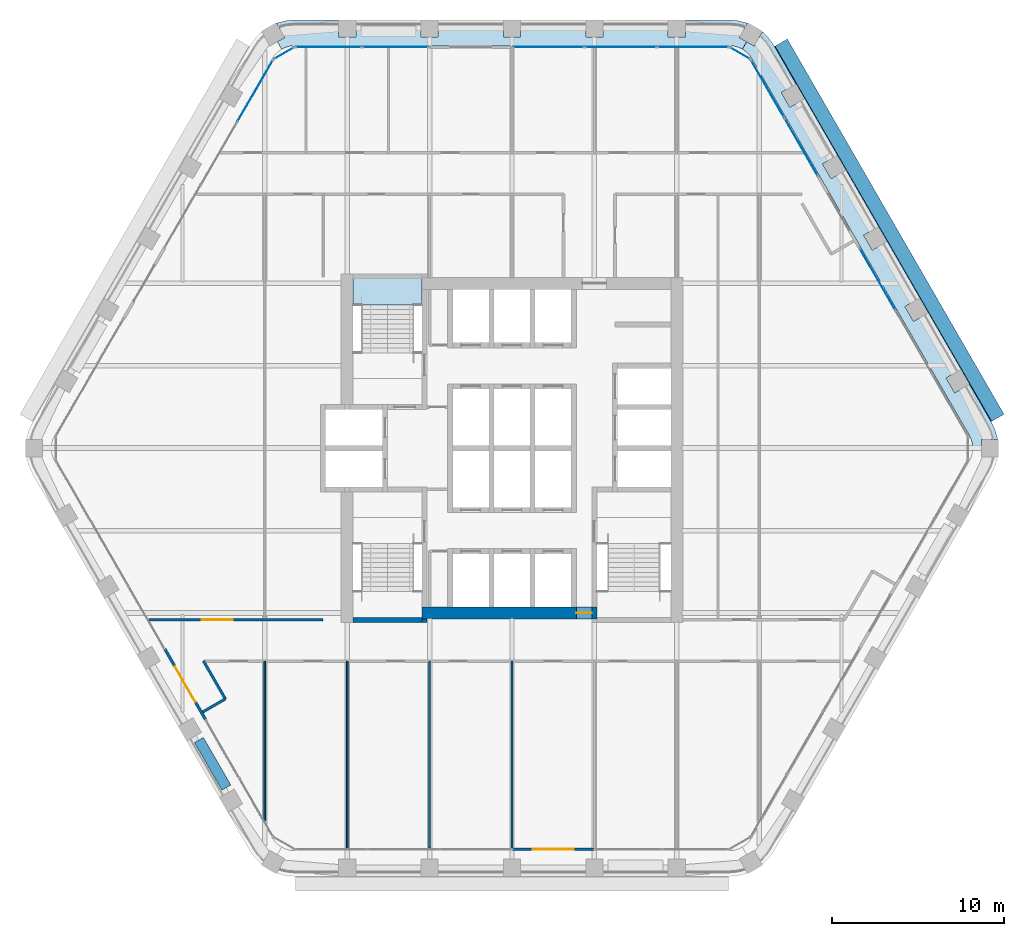
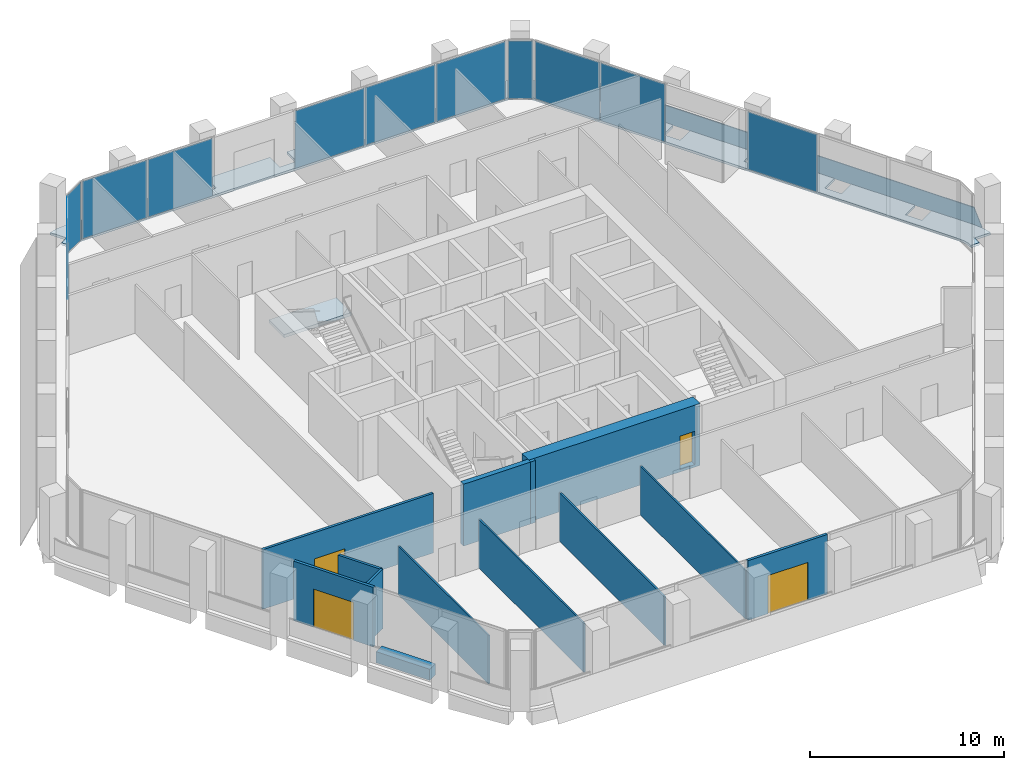
# One storey, part 8 of 15: 13 walls, 12 plates, 4 doors, 3 slabs, 4 openings, 8 elements without a shape of their own.
"""IFC4 building model written with IfcOpenShell, lengths in metres."""

import ifcopenshell
import ifcopenshell.guid

model = None  # the IFC model being written
_history = None  # IfcOwnerHistory: only IFC2X3 demands one
_inside = {}  # id of a spatial element -> (the spatial element, [elements in it])
_under = {}  # id of a project, library or spatial element -> (it, [spatial elements below it])
_declared = {}  # id of a project -> (the project, [libraries it declares])
_typed = {}  # id of a type object -> (the type object, [elements of that type])
_made_of = {}  # id of a material, layer set ... -> (it, [elements and type objects made of it])


def new_model(schema):
    """Start an empty IFC model of exactly this schema.

    Asked for "IFC4X3", IfcOpenShell would pick the latest addendum, in which some entities
    have other attributes; the version numbers below select the first issue.
    IFC2X3 requires an IfcOwnerHistory on every rooted entity: one is made here for all.
    """
    global model, _history
    if schema == "IFC4X3":
        model = ifcopenshell.file(schema_version=(4, 3, 0, 0))
    else:
        model = ifcopenshell.file(schema=schema)
    _inside.clear()
    _under.clear()
    _declared.clear()
    _typed.clear()
    _made_of.clear()
    _history = None
    if model.schema == "IFC2X3":
        org = make("IfcOrganization", Name="unknown")
        user = make(
            "IfcPersonAndOrganization",
            ThePerson=make("IfcPerson", FamilyName="unknown"),
            TheOrganization=org,
        )
        app = make(
            "IfcApplication",
            ApplicationDeveloper=org,
            Version="unknown",
            ApplicationFullName="unknown",
            ApplicationIdentifier="unknown",
        )
        _history = make(
            "IfcOwnerHistory",
            OwningUser=user,
            OwningApplication=app,
            ChangeAction="ADDED",
            CreationDate=0,
        )
    return model


def make(cls, **values):
    """One entity of the class cls with the attributes given. An attribute that is None is left unset."""
    return model.create_entity(
        cls, **{name: value for name, value in values.items() if value is not None}
    )


def rooted(cls, **values):
    """An entity with a GlobalId (a new one), such as an element, a storey or a relation."""
    return make(cls, GlobalId=ifcopenshell.guid.new(), OwnerHistory=_history, **values)


def si_unit(unit_type, name, prefix=None):
    """IfcSIUnit, for example si_unit("LENGTHUNIT", "METRE", prefix="MILLI")."""
    return make("IfcSIUnit", UnitType=unit_type, Prefix=prefix, Name=name)


def assignment(units):
    """IfcUnitAssignment: the units of a project."""
    return None if units is None else make("IfcUnitAssignment", Units=units)


def point(xyz):
    """IfcCartesianPoint."""
    return None if xyz is None else make("IfcCartesianPoint", Coordinates=xyz)


def direction(xyz):
    """IfcDirection."""
    return None if xyz is None else make("IfcDirection", DirectionRatios=xyz)


def frame(location, z_axis=None, x_axis=None):
    """IfcAxis2Placement3D, a coordinate frame: its origin and axes. An axis left out is left unset."""
    return make(
        "IfcAxis2Placement3D",
        Location=point(location),
        Axis=direction(z_axis),
        RefDirection=direction(x_axis),
    )


def frame_2d(location, x_axis=None):
    """IfcAxis2Placement2D, a coordinate frame in the plane: its origin and x axis."""
    return make(
        "IfcAxis2Placement2D", Location=point(location), RefDirection=direction(x_axis)
    )


def origin():
    """The frame at (0, 0, 0) with its axes left unset."""
    return frame((0.0, 0.0, 0.0))


def origin_2d():
    """The frame at (0, 0) in the plane with its x axis left unset."""
    return frame_2d((0.0, 0.0))


def place(relative_to, where):
    """IfcLocalPlacement: puts the frame where relative to a parent placement (None: the world)."""
    return make(
        "IfcLocalPlacement", PlacementRelTo=relative_to, RelativePlacement=where
    )


def context(
    kind, dimensions, precision=None, world=None, true_north=None, identifier=None
):
    """IfcGeometricRepresentationContext, for example the 3D "Model" context."""
    return make(
        "IfcGeometricRepresentationContext",
        ContextIdentifier=identifier,
        ContextType=kind,
        CoordinateSpaceDimension=dimensions,
        Precision=precision,
        WorldCoordinateSystem=world,
        TrueNorth=true_north,
    )


def subcontext(parent, identifier, kind, view, scale=None):
    """IfcGeometricRepresentationSubContext, for example "Body" below "Model"."""
    return make(
        "IfcGeometricRepresentationSubContext",
        ContextIdentifier=identifier,
        ContextType=kind,
        ParentContext=parent,
        TargetScale=scale,
        TargetView=view,
    )


def project(units=None, contexts=None):
    """IfcProject with its units and contexts."""
    return rooted(
        "IfcProject",
        Name="project",
        RepresentationContexts=contexts,
        UnitsInContext=assignment(units),
    )


def spatial(cls, under=None, at=None, **own):
    """A site, building, storey or space (cls), placed at a placement, below another one or the project."""
    s = rooted(cls, ObjectPlacement=at, **own)
    if under is not None:
        _under.setdefault(under.id(), (under, []))[1].append(s)
    return s


def polyline(points):
    """IfcPolyline through the points."""
    return make("IfcPolyline", Points=[point(p) for p in points])


def profile(cls, at=None, kind="AREA", **sizes):
    """A parametric profile (cls). Its sizes go by their IFC names, for example OverallWidth=200.0."""
    return make(cls, ProfileType=kind, Position=at, **sizes)


def rectangle(**sizes):
    """IfcRectangleProfileDef."""
    return profile("IfcRectangleProfileDef", **sizes)


def outline(outer, holes=None, kind="AREA"):
    """IfcArbitraryClosedProfileDef: a profile drawn as a closed curve; with holes, ...WithVoids."""
    if holes is None:
        return make("IfcArbitraryClosedProfileDef", ProfileType=kind, OuterCurve=outer)
    return make(
        "IfcArbitraryProfileDefWithVoids",
        ProfileType=kind,
        OuterCurve=outer,
        InnerCurves=holes,
    )


def extrude(swept, where, along, depth):
    """IfcExtrudedAreaSolid: the profile swept, set in the frame where, extruded along a direction by depth."""
    return make(
        "IfcExtrudedAreaSolid",
        SweptArea=swept,
        Position=where,
        ExtrudedDirection=direction(along),
        Depth=depth,
    )


def shape(context_of_items, identifier, shape_type, items):
    """IfcShapeRepresentation: the items that make up one representation, for example the "Body"."""
    return make(
        "IfcShapeRepresentation",
        ContextOfItems=context_of_items,
        RepresentationIdentifier=identifier,
        RepresentationType=shape_type,
        Items=items,
    )


def material(Name=None, Category=None):
    """IfcMaterial."""
    return make("IfcMaterial", Name=Name, Category=Category)


def layer(
    of_material, thickness, ventilated=None, Name=None, Category=None, Priority=None
):
    """IfcMaterialLayer: one layer of a wall or slab, of a material (None: an air gap)."""
    return make(
        "IfcMaterialLayer",
        Material=of_material,
        LayerThickness=thickness,
        IsVentilated=ventilated,
        Name=Name,
        Category=Category,
        Priority=Priority,
    )


def layer_set(layers, Name=None):
    """IfcMaterialLayerSet."""
    return make("IfcMaterialLayerSet", MaterialLayers=layers, LayerSetName=Name)


def made_of(thing, what):
    """Note that an element or type object is made of a material, layer set ...; save() writes the relation."""
    if what is not None:
        _made_of.setdefault(what.id(), (what, []))[1].append(thing)
    return thing


def type_object(cls, material=None, **own):
    """A type object (cls), such as IfcWallType, which elements share."""
    return made_of(rooted(cls, **own), material)


def element(
    cls,
    number,
    at=None,
    inside=None,
    cuts=None,
    type_object=None,
    material=None,
    context=None,
    identifier="Body",
    shape_type=None,
    held_by="IfcProductDefinitionShape",
    body=None,
    shapes=None,
    **own,
):
    """One element of the class cls, such as IfcWall. Its Tag is "e" and its number.

    at: its placement. inside: the storey or other place that contains it. cuts: it is an
    opening in that element (IfcRelVoidsElement). A single representation is given by context,
    identifier, shape_type and body (its items); several are given by shapes. held_by: the class
    of the entity that holds the representations. save() writes the other relations.
    """
    e = rooted(cls, Tag="e%d" % number, ObjectPlacement=at, **own)
    if body is not None:
        shapes = [shape(context, identifier, shape_type, body)]
    if shapes is not None:
        e.Representation = make(held_by, Representations=shapes)
    if inside is not None:
        _inside.setdefault(inside.id(), (inside, []))[1].append(e)
    if cuts is not None:
        rooted(
            "IfcRelVoidsElement", RelatingBuildingElement=cuts, RelatedOpeningElement=e
        )
    if type_object is not None:
        _typed.setdefault(type_object.id(), (type_object, []))[1].append(e)
    return made_of(e, material)


def fill(opening, filler):
    """IfcRelFillsElement: the door or window that sits in an opening."""
    return rooted(
        "IfcRelFillsElement",
        RelatingOpeningElement=opening,
        RelatedBuildingElement=filler,
    )


def aggregate(whole, parts):
    """IfcRelAggregates: a whole, such as a stair, and the parts it consists of."""
    return rooted("IfcRelAggregates", RelatingObject=whole, RelatedObjects=parts)


def save(model, path):
    """Write the relations noted so far, then the file.

    IfcRelAggregates (storeys below a building ...), IfcRelContainedInSpatialStructure (elements
    in a storey), IfcRelDefinesByType, IfcRelAssociatesMaterial and IfcRelDeclares: one each for
    every whole, place, type object, material and project.
    """
    for whole, parts in _under.values():
        aggregate(whole, parts)
    for where, things in _inside.values():
        rooted(
            "IfcRelContainedInSpatialStructure",
            RelatedElements=things,
            RelatingStructure=where,
        )
    for kind, things in _typed.values():
        rooted("IfcRelDefinesByType", RelatedObjects=things, RelatingType=kind)
    for what, things in _made_of.values():
        rooted("IfcRelAssociatesMaterial", RelatedObjects=things, RelatingMaterial=what)
    for by, libraries in _declared.values():
        rooted("IfcRelDeclares", RelatingContext=by, RelatedDefinitions=libraries)
    model.write(path)


model = new_model("IFC4")

# Units and contexts
model_context = context("Model", 3, precision=1e-05, world=origin(), true_north=direction((0.0, 1.0)))
body_context = subcontext(model_context, "Body", "Model", "MODEL_VIEW")
ifc_project = project(units=[si_unit("LENGTHUNIT", "METRE"), si_unit("AREAUNIT", "SQUARE_METRE"), si_unit("VOLUMEUNIT", "CUBIC_METRE"), si_unit("PLANEANGLEUNIT", "RADIAN"), si_unit("MASSUNIT", "GRAM", prefix="KILO")], contexts=[model_context])

# Site, building, storey
site_placement = place(None, origin())
site = spatial("IfcSite", under=ifc_project, at=site_placement, CompositionType="ELEMENT")
building_placement = place(site_placement, origin())
building = spatial("IfcBuilding", under=site, at=building_placement, Name="Kolab Exchange Tower", CompositionType="ELEMENT")
storey_placement = place(building_placement, frame((0.0, 0.0, 185.60009765625)))
storey = spatial("IfcBuildingStorey", under=building, at=storey_placement, Name="L39", CompositionType="ELEMENT", Elevation=185.60009765625)

# Slabs
ifc_material_1 = material(Name="Concrete C35/45", Category="concrete")
ifc_layer_1 = layer(ifc_material_1, 0.14990234375)
ifc_layer_set_1 = layer_set([ifc_layer_1], Name="Concrete C35/45")
slab_type_1 = type_object("IfcSlabType", Name="LOGGIA SLAB 150", PredefinedType="FLOOR", material=ifc_layer_set_1)
slab_1_placement = place(storey_placement, frame((0.0, 0.0, -0.150146484375)))
element("IfcSlab", 1, at=slab_1_placement, inside=storey, type_object=slab_type_1, Name="slab/L39/loggia/0-0", PredefinedType="FLOOR", context=body_context, shape_type="SweptSolid", body=[
    extrude(outline(polyline([(13.41796875, 23.240478515625), (13.66796875, 23.673583984375), (13.23486328125, 23.923583984375), (13.713134765625, 24.751708984375), (13.694091796875, 24.760498046875), (13.18896484375, 24.89599609375), (12.66796875, 24.941650390625), (10.10009765625, 24.941650390625), (10.10009765625, 23.941650390625), (9.10009765625, 23.941650390625), (9.10009765625, 24.941650390625), (5.300048828125, 24.941650390625), (5.300048828125, 23.941650390625), (4.300048828125, 23.941650390625), (4.300048828125, 24.941650390625), (0.5, 24.941650390625), (0.5, 23.941650390625), (-0.5, 23.941650390625), (-0.5, 24.941650390625), (-4.300048828125, 24.941650390625), (-4.300048828125, 23.941650390625), (-5.300048828125, 23.941650390625), (-5.300048828125, 24.941650390625), (-9.10009765625, 24.941650390625), (-9.10009765625, 23.941650390625), (-10.10009765625, 23.941650390625), (-10.10009765625, 24.941650390625), (-12.66796875, 24.941650390625), (-13.18896484375, 24.89599609375), (-13.694091796875, 24.760498046875), (-13.713134765625, 24.751708984375), (-13.23486328125, 23.923583984375), (-13.66796875, 23.673583984375), (-13.41796875, 23.240478515625), (-13.180908203125, 23.35107421875), (-12.928466796875, 23.418701171875), (-12.66796875, 23.441650390625), (12.66796875, 23.441650390625), (12.928466796875, 23.418701171875), (13.180908203125, 23.35107421875), (13.41796875, 23.240478515625)])), origin(), (0.0, 0.0, 1.0), 0.150146484375),
])
slab_2_placement = place(storey_placement, frame((0.0, 0.0, -0.150146484375)))
element("IfcSlab", 2, at=slab_2_placement, inside=storey, type_object=slab_type_1, Name="slab/L39/loggia/1-0", PredefinedType="FLOOR", context=body_context, shape_type="SweptSolid", body=[
    extrude(outline(polyline([(26.8359375, 0.0), (27.3359375, 0.0), (27.3359375, 0.5), (28.292236328125, 0.5), (28.290283203125, 0.52099609375), (28.155029296875, 1.026123046875), (27.93408203125, 1.5), (26.64990234375, 3.723876953125), (25.783935546875, 3.223876953125), (25.283935546875, 4.08984375), (26.14990234375, 4.58984375), (24.25, 7.880859375), (23.384033203125, 7.380859375), (22.884033203125, 8.246826171875), (23.75, 8.746826171875), (21.85009765625, 12.037841796875), (20.98388671875, 11.537841796875), (20.48388671875, 12.40380859375), (21.35009765625, 12.90380859375), (19.449951171875, 16.194580078125), (18.583984375, 15.694580078125), (18.083984375, 16.560791015625), (18.949951171875, 17.060791015625), (17.050048828125, 20.3515625), (16.18408203125, 19.8515625), (15.68408203125, 20.717529296875), (16.550048828125, 21.217529296875), (15.26611328125, 23.441650390625), (14.966064453125, 23.869873046875), (14.59619140625, 24.23974609375), (14.5791015625, 24.251708984375), (14.10107421875, 23.423583984375), (13.66796875, 23.673583984375), (13.41796875, 23.240478515625), (13.632080078125, 23.090576171875), (13.81689453125, 22.90576171875), (13.967041015625, 22.691650390625), (26.635009765625, 0.75), (26.745361328125, 0.512939453125), (26.81298828125, 0.260498046875), (26.8359375, 0.0)])), origin(), (0.0, 0.0, 1.0), 0.150146484375),
])

# Plate
ifc_material_2 = material(Name="Laminated glass, clear", Category="glass")
ifc_layer_2 = layer(ifc_material_2, 0.0400390625)
ifc_layer_set_2 = layer_set([ifc_layer_2], Name="Laminated glass, clear")
plate_type_1 = type_object("IfcPlateType", Name="OUTER SKIN LAMINATED GLASS SHEET 40", PredefinedType="SHEET", material=ifc_layer_set_2)
plate_1_placement = place(storey_placement, frame((16.040283203125, 23.830810546875, -0.68310546875), z_axis=(0.784879402523, 0.453150748855, 0.422633082363), x_axis=(0.49999996891, -0.866025421734, 9.26397e-07)))
element("IfcPlate", 3, at=plate_1_placement, inside=storey, type_object=plate_type_1, Name="Outer skin", PredefinedType="SHEET", context=body_context, shape_type="SweptSolid", body=[
    extrude(outline(polyline([(0.0, 0.0), (25.235928246078725, 0.0), (25.235843279343584, -1.9610710072384856), (0.00012646525258926716, -1.9611225980101972), (0.0, 0.0)])), origin(), (0.0, 0.0, -1.0), 0.0400390625),
])

# Stair, slab
ifc_material_3 = material(Name="Concrete C50/60", Category="concrete")
stair_type = type_object("IfcStairType", Name="STAIR ST1 RISER 177.3", PredefinedType="HALF_TURN_STAIR", material=ifc_material_3)
stair_placement = place(storey_placement, origin())
stair = element("IfcStair", 4, at=stair_placement, inside=storey, type_object=stair_type, Name="Stair 1", PredefinedType="HALF_TURN_STAIR")
ifc_layer_3 = layer(ifc_material_3, 0.199951171875)
ifc_layer_set_3 = layer_set([ifc_layer_3], Name="Concrete C50/60")
slab_type_2 = type_object("IfcSlabType", Name="STAIR LANDING 200", PredefinedType="LANDING", material=ifc_layer_set_3)
slab_3_placement = place(storey_placement, frame((0.0, 0.0, 1.75)))
slab_3 = element("IfcSlab", 5, at=slab_3_placement, type_object=slab_type_2, Name="ST1 landing 2", PredefinedType="LANDING", context=body_context, shape_type="SweptSolid", body=[
    extrude(outline(polyline([(-9.25, 8.35009765625), (-5.25, 8.35009765625), (-5.25, 9.909912109375), (-9.25, 9.909912109375), (-9.25, 8.35009765625)])), origin(), (0.0, 0.0, 1.0), 0.199951171875),
])
aggregate(stair, [slab_3])

# Curtain wall, plates
ifc_material_4 = material(Name="Aluminium EN AW-6063 T6", Category="aluminium")
curtain_wall_type = type_object("IfcCurtainWallType", Name="UNITISED UPPER MID ZONE CURTAIN WALL", PredefinedType="NOTDEFINED", material=ifc_material_4)
curtain_wall_1_placement = place(storey_placement, origin())
curtain_wall_1 = element("IfcCurtainWall", 6, at=curtain_wall_1_placement, inside=storey, type_object=curtain_wall_type, Name="cw/L39/F1-1", PredefinedType="NOTDEFINED")
ifc_material_5 = material(Name="Clear insulated glazing unit", Category="glass")
ifc_layer_4 = layer(ifc_material_5, 0.028076171875)
ifc_layer_set_4 = layer_set([ifc_layer_4], Name="Clear insulated glazing unit")
plate_type_2 = type_object("IfcPlateType", Name="UNITISED UPPER MID ZONE GLASS PANEL 28", PredefinedType="CURTAIN_PANEL", material=ifc_layer_set_4)
plate_2_placement = place(storey_placement, frame((-10.68603515625, 23.361572265625, 0.06005859375), z_axis=(0.0, 0.0, 1.0), x_axis=(1.0, 0.0, 0.0)))
plate_2 = element("IfcPlate", 7, at=plate_2_placement, type_object=plate_type_2, Name="CW3 panel 1.1", PredefinedType="CURTAIN_PANEL", context=body_context, shape_type="SweptSolid", body=[
    extrude(rectangle(XDim=3.843994140625, YDim=0.028076171875, at=origin_2d()), origin(), (0.0, 0.0, 1.0), 3.6298828125),
])
plate_3_placement = place(storey_placement, frame((-6.781982421875, 23.361572265625, 0.06005859375), z_axis=(0.0, 0.0, 1.0), x_axis=(1.0, 0.0, 0.0)))
plate_3 = element("IfcPlate", 8, at=plate_3_placement, type_object=plate_type_2, Name="CW3 panel 2.1", PredefinedType="CURTAIN_PANEL", context=body_context, shape_type="SweptSolid", body=[
    extrude(rectangle(XDim=3.843994140625, YDim=0.028076171875, at=origin_2d()), origin(), (0.0, 0.0, 1.0), 3.6298828125),
])
aggregate(curtain_wall_1, [plate_2, plate_3])

curtain_wall_2_placement = place(storey_placement, origin())
curtain_wall_2 = element("IfcCurtainWall", 9, at=curtain_wall_2_placement, inside=storey, type_object=curtain_wall_type, Name="cw/L39/F1-2", PredefinedType="NOTDEFINED")
plate_4_placement = place(storey_placement, frame((2.126220703125, 23.361572265625, 0.06005859375), z_axis=(0.0, 0.0, 1.0), x_axis=(1.0, 0.0, 0.0)))
plate_4 = element("IfcPlate", 10, at=plate_4_placement, type_object=plate_type_2, Name="CW3 panel 1.1", PredefinedType="CURTAIN_PANEL", context=body_context, shape_type="SweptSolid", body=[
    extrude(rectangle(XDim=4.132568359375, YDim=0.028076171875, at=origin_2d()), origin(), (0.0, 0.0, 1.0), 3.6298828125),
])
plate_5_placement = place(storey_placement, frame((6.333984375, 23.361572265625, 0.06005859375), z_axis=(0.0, 0.0, 1.0), x_axis=(1.0, 0.0, 0.0)))
plate_5 = element("IfcPlate", 11, at=plate_5_placement, type_object=plate_type_2, Name="CW3 panel 2.1", PredefinedType="CURTAIN_PANEL", context=body_context, shape_type="SweptSolid", body=[
    extrude(rectangle(XDim=4.16259765625, YDim=0.028076171875, at=origin_2d()), origin(), (0.0, 0.0, 1.0), 3.6298828125),
])
plate_6_placement = place(storey_placement, frame((10.54150390625, 23.361572265625, 0.06005859375), z_axis=(0.0, 0.0, 1.0), x_axis=(1.0, 0.0, 0.0)))
plate_6 = element("IfcPlate", 12, at=plate_6_placement, type_object=plate_type_2, Name="CW3 panel 3.1", PredefinedType="CURTAIN_PANEL", context=body_context, shape_type="SweptSolid", body=[
    extrude(rectangle(XDim=4.132568359375, YDim=0.028076171875, at=origin_2d()), origin(), (0.0, 0.0, 1.0), 3.6298828125),
])
aggregate(curtain_wall_2, [plate_4, plate_5, plate_6])

curtain_wall_3_placement = place(storey_placement, origin())
curtain_wall_3 = element("IfcCurtainWall", 13, at=curtain_wall_3_placement, inside=storey, type_object=curtain_wall_type, Name="cw/L39/F2-1", PredefinedType="NOTDEFINED")
plate_7_placement = place(storey_placement, frame((14.888671875, 20.93505859375, 0.06005859375), z_axis=(0.0, 0.0, 1.0), x_axis=(0.500000031681, -0.866025385493, 0.0)))
plate_7 = element("IfcPlate", 14, at=plate_7_placement, type_object=plate_type_2, Name="CW3 panel 1.1", PredefinedType="CURTAIN_PANEL", context=body_context, shape_type="SweptSolid", body=[
    extrude(rectangle(XDim=3.843994140625, YDim=0.028076171875, at=origin_2d()), origin(), (0.0, 0.0, 1.0), 3.6298828125),
])
plate_8_placement = place(storey_placement, frame((16.840576171875, 17.55419921875, 0.06005859375), z_axis=(0.0, 0.0, 1.0), x_axis=(0.500000031681, -0.866025385493, 0.0)))
plate_8 = element("IfcPlate", 15, at=plate_8_placement, type_object=plate_type_2, Name="CW3 panel 2.1", PredefinedType="CURTAIN_PANEL", context=body_context, shape_type="SweptSolid", body=[
    extrude(rectangle(XDim=3.843994140625, YDim=0.028076171875, at=origin_2d()), origin(), (0.0, 0.0, 1.0), 3.6298828125),
])
aggregate(curtain_wall_3, [plate_7, plate_8])

# Curtain wall, plate
curtain_wall_4_placement = place(storey_placement, origin())
curtain_wall_4 = element("IfcCurtainWall", 16, at=curtain_wall_4_placement, inside=storey, type_object=curtain_wall_type, Name="cw/L39/F2-2", PredefinedType="NOTDEFINED")
plate_9_placement = place(storey_placement, frame((21.294921875, 9.83935546875, 0.06005859375), z_axis=(0.0, 0.0, 1.0), x_axis=(0.499999958358, -0.866025427826, 0.0)))
plate_9 = element("IfcPlate", 17, at=plate_9_placement, type_object=plate_type_2, Name="CW3 panel 1.1", PredefinedType="CURTAIN_PANEL", context=body_context, shape_type="SweptSolid", body=[
    extrude(rectangle(XDim=4.132568359375, YDim=0.028076171875, at=origin_2d()), origin(), (0.0, 0.0, 1.0), 3.6298828125),
])
aggregate(curtain_wall_4, [plate_9])

curtain_wall_5_placement = place(storey_placement, origin())
curtain_wall_5 = element("IfcCurtainWall", 18, at=curtain_wall_5_placement, inside=storey, type_object=curtain_wall_type, Name="cw/L39/F6-2", PredefinedType="NOTDEFINED")
plate_10_placement = place(storey_placement, frame((-14.9609375, 20.81005859375, 0.06005859375), z_axis=(0.0, 0.0, 1.0), x_axis=(0.500000017564, 0.866025393644, 0.0)))
plate_10 = element("IfcPlate", 19, at=plate_10_placement, type_object=plate_type_2, Name="CW3 panel 3.1", PredefinedType="CURTAIN_PANEL", context=body_context, shape_type="SweptSolid", body=[
    extrude(rectangle(XDim=4.132568359375, YDim=0.028076171875, at=origin_2d()), origin(), (0.0, 0.0, 1.0), 3.6298828125),
])
aggregate(curtain_wall_5, [plate_10])

curtain_wall_6_placement = place(storey_placement, origin())
curtain_wall_6 = element("IfcCurtainWall", 20, at=curtain_wall_6_placement, inside=storey, type_object=curtain_wall_type, Name="cw/L39/F1F2-corner", PredefinedType="NOTDEFINED")
plate_11_placement = place(storey_placement, frame((13.28271484375, 23.006591796875, 0.06005859375), z_axis=(0.0, 0.0, 1.0), x_axis=(0.866025390869, -0.50000002237, 0.0)))
plate_11 = element("IfcPlate", 21, at=plate_11_placement, type_object=plate_type_2, Name="CW3 panel 1.1", PredefinedType="CURTAIN_PANEL", context=body_context, shape_type="SweptSolid", body=[
    extrude(rectangle(XDim=1.300048828125, YDim=0.028076171875, at=origin_2d()), origin(), (0.0, 0.0, 1.0), 3.6298828125),
])
aggregate(curtain_wall_6, [plate_11])

curtain_wall_7_placement = place(storey_placement, origin())
curtain_wall_7 = element("IfcCurtainWall", 22, at=curtain_wall_7_placement, inside=storey, type_object=curtain_wall_type, Name="cw/L39/F6F1-corner", PredefinedType="NOTDEFINED")
plate_12_placement = place(storey_placement, frame((-13.28271484375, 23.006591796875, 0.06005859375), z_axis=(0.0, 0.0, 1.0), x_axis=(0.866025390869, 0.50000002237, 0.0)))
plate_12 = element("IfcPlate", 23, at=plate_12_placement, type_object=plate_type_2, Name="CW3 panel 1.1", PredefinedType="CURTAIN_PANEL", context=body_context, shape_type="SweptSolid", body=[
    extrude(rectangle(XDim=1.300048828125, YDim=0.028076171875, at=origin_2d()), origin(), (0.0, 0.0, 1.0), 3.6298828125),
])
aggregate(curtain_wall_7, [plate_12])

# Wall, opening, door
ifc_material_6 = material(Name="Concrete C60/75", Category="concrete")
ifc_layer_5 = layer(ifc_material_6, 0.699951171875)
ifc_layer_set_5 = layer_set([ifc_layer_5], Name="Concrete C60/75")
wall_type_1 = type_object("IfcWallType", Name="CORE WALL 700 C60/75", PredefinedType="SHEAR", material=ifc_layer_set_5)
wall_1_placement = place(storey_placement, frame((-5.25, -9.60009765625, -0.150146484375), z_axis=(0.0, 0.0, 1.0), x_axis=(1.0, 0.0, 0.0)))
wall_1 = element("IfcWall", 24, at=wall_1_placement, inside=storey, type_object=wall_type_1, Name="wall/L39/core/002", PredefinedType="SHEAR", context=body_context, shape_type="SweptSolid", body=[
    extrude(rectangle(XDim=10.199951171875, YDim=0.699951171875, at=frame_2d((5.10009765625, 0.0))), origin(), (0.0, 0.0, 1.0), 3.900146484375),
])
opening_1_placement = place(wall_1_placement, frame((9.0, 0.0, 0.14990234375)))
opening_1 = element("IfcOpeningElement", 25, at=opening_1_placement, cuts=wall_1, Name="Opening D6-287", PredefinedType="OPENING", context=body_context, shape_type="SweptSolid", body=[
    extrude(rectangle(XDim=0.89990234375, YDim=2.10009765625, at=frame_2d((0.449951171875, 1.050048828125))), frame((0.0, 0.35986328125, 0.0), z_axis=(0.0, -1.0, 0.0), x_axis=(1.0, 0.0, 0.0)), (0.0, 0.0, 1.0), 0.719970703125),
])
ifc_material_7 = material(Name="Steel S235", Category="steel")
door_type_1 = type_object("IfcDoorType", Name="CORE DOOR 900 EI 120", OperationType="SINGLE_SWING_LEFT", PredefinedType="DOOR", material=ifc_material_7)
door_1_placement = place(opening_1_placement, origin())
door_1 = element("IfcDoor", 26, at=door_1_placement, inside=storey, type_object=door_type_1, Name="Core lobby door", OperationType="SINGLE_SWING_LEFT", OverallHeight=2.10009765625, OverallWidth=0.89990234375, PredefinedType="DOOR", context=body_context, shape_type="SweptSolid", body=[
    extrude(rectangle(XDim=0.89990234375, YDim=2.10009765625, at=frame_2d((0.449951171875, 1.050048828125))), frame((0.0, 0.02490234375, 0.0), z_axis=(0.0, -1.0, 0.0), x_axis=(1.0, 0.0, 0.0)), (0.0, 0.0, 1.0), 0.050048828125),
])
fill(opening_1, door_1)

ifc_layer_6 = layer(ifc_material_4, 0.159912109375)
ifc_layer_set_6 = layer_set([ifc_layer_6], Name="Aluminium EN AW-6063 T6")
wall_type_2 = type_object("IfcWallType", Name="DOOR SURROUND WALL 160 ALUMINIUM FRAMED", PredefinedType="PARTITIONING", material=ifc_layer_set_6)
wall_2_placement = place(storey_placement, frame((4.77001953125, -23.361572265625, 0.0), z_axis=(0.0, 0.0, 1.0), x_axis=(-1.0, 0.0, 0.0)))
wall_2 = element("IfcWall", 27, at=wall_2_placement, inside=storey, type_object=wall_type_2, Name="Door surround wall", PredefinedType="PARTITIONING", context=body_context, shape_type="SweptSolid", body=[
    extrude(rectangle(XDim=4.739990234375, YDim=0.159912109375, at=frame_2d((2.3701171875, 0.0))), origin(), (0.0, 0.0, 1.0), 3.75),
])
opening_2_placement = place(wall_2_placement, frame((1.169921875, 0.0, 0.0)))
opening_2 = element("IfcOpeningElement", 28, at=opening_2_placement, cuts=wall_2, Name="Opening GD1-067", PredefinedType="OPENING", context=body_context, shape_type="SweptSolid", body=[
    extrude(rectangle(XDim=2.39990234375, YDim=2.39990234375, at=frame_2d((1.199951171875, 1.199951171875))), frame((0.0, 0.08984375, 0.0), z_axis=(0.0, -1.0, 0.0), x_axis=(1.0, 0.0, 0.0)), (0.0, 0.0, 1.0), 0.179931640625),
])
door_type_2 = type_object("IfcDoorType", Name="LOGGIA SLIDING GLASS DOOR 2400 X 2400", OperationType="DOUBLE_DOOR_SINGLE_SWING", PredefinedType="DOOR", material=ifc_material_4)
door_2_placement = place(opening_2_placement, origin())
door_2 = element("IfcDoor", 29, at=door_2_placement, inside=storey, type_object=door_type_2, Name="Loggia door", OperationType="DOUBLE_DOOR_SLIDING", OverallHeight=2.39990234375, OverallWidth=2.39990234375, PredefinedType="DOOR", context=body_context, shape_type="SweptSolid", body=[
    extrude(rectangle(XDim=2.39990234375, YDim=2.39990234375, at=frame_2d((1.199951171875, 1.199951171875))), frame((0.0, 0.02490234375, 0.0), z_axis=(0.0, -1.0, 0.0), x_axis=(1.0, 0.0, 0.0)), (0.0, 0.0, 1.0), 0.050048828125),
])
fill(opening_2, door_2)

wall_3_placement = place(storey_placement, frame((-17.8466796875, -15.811767578125, 0.0), z_axis=(0.0, 0.0, 1.0), x_axis=(-0.5000167099, 0.866015756104, 0.0)))
wall_3 = element("IfcWall", 30, at=wall_3_placement, inside=storey, type_object=wall_type_2, Name="Door surround wall", PredefinedType="PARTITIONING", context=body_context, shape_type="SweptSolid", body=[
    extrude(rectangle(XDim=4.739990234375, YDim=0.159912109375, at=frame_2d((2.3701171875, 0.0))), origin(), (0.0, 0.0, 1.0), 3.75),
])
opening_3_placement = place(wall_3_placement, frame((1.169921875, 0.0, 0.0)))
opening_3 = element("IfcOpeningElement", 31, at=opening_3_placement, cuts=wall_3, Name="Opening GD1-068", PredefinedType="OPENING", context=body_context, shape_type="SweptSolid", body=[
    extrude(rectangle(XDim=2.39990234375, YDim=2.39990234375, at=frame_2d((1.199951171875, 1.199951171875))), frame((0.0, 0.08984375, 0.0), z_axis=(0.0, -1.0, 0.0), x_axis=(1.0, 0.0, 0.0)), (0.0, 0.0, 1.0), 0.179931640625),
])
door_3_placement = place(opening_3_placement, origin())
door_3 = element("IfcDoor", 32, at=door_3_placement, inside=storey, type_object=door_type_2, Name="Loggia door", OperationType="DOUBLE_DOOR_SLIDING", OverallHeight=2.39990234375, OverallWidth=2.39990234375, PredefinedType="DOOR", context=body_context, shape_type="SweptSolid", body=[
    extrude(rectangle(XDim=2.39990234375, YDim=2.39990234375, at=frame_2d((1.199951171875, 1.199951171875))), frame((0.0, 0.02490234375, 0.0), z_axis=(0.0, -1.0, 0.0), x_axis=(1.0, 0.0, 0.0)), (0.0, 0.0, 1.0), 0.050048828125),
])
fill(opening_3, door_3)

# Walls
ifc_material_8 = material(Name="Gypsum board", Category="gypsum")
ifc_layer_7 = layer(ifc_material_8, 0.10009765625)
ifc_layer_set_7 = layer_set([ifc_layer_7], Name="Gypsum board")
wall_type_3 = type_object("IfcWallType", Name="PARTITION 100", PredefinedType="PARTITIONING", material=ifc_layer_set_7)
wall_4_placement = place(storey_placement, frame((0.0, -23.281494140625, 0.0), z_axis=(0.0, 0.0, 1.0), x_axis=(0.0, 1.0, 0.0)))
element("IfcWall", 33, at=wall_4_placement, inside=storey, type_object=wall_type_3, Name="Partition 010", PredefinedType="PARTITIONING", context=body_context, shape_type="SweptSolid", body=[
    extrude(rectangle(XDim=10.881591796875, YDim=0.10009765625, at=frame_2d((5.44091796875, 0.0))), origin(), (0.0, 0.0, 1.0), 3.06591796875),
])
for number, where, z_axis, x_axis, name in (
    (34, (-4.800048828125, -23.271484375, 0.0), (0.0, 0.0, 1.0), (0.0, 1.0, 0.0), "Partition 013"),
    (35, (-9.60009765625, -23.271484375, 0.0), (0.0, 0.0, 1.0), (0.0, 1.0, 0.0), "Partition 018"),
):
    element("IfcWall", number, at=place(storey_placement, frame(where, z_axis=z_axis, x_axis=x_axis)), inside=storey, type_object=wall_type_3, Name=name, PredefinedType="PARTITIONING", context=body_context, shape_type="SweptSolid", body=[
        extrude(rectangle(XDim=10.87158203125, YDim=0.10009765625, at=frame_2d((5.435791015625, 0.0))), origin(), (0.0, 0.0, 1.0), 3.06591796875),
    ])
wall_5_placement = place(storey_placement, frame((-14.39990234375, -21.701416015625, 0.0), z_axis=(0.0, 0.0, 1.0), x_axis=(0.0, 1.0, 0.0)))
element("IfcWall", 36, at=wall_5_placement, inside=storey, type_object=wall_type_3, Name="Partition 021", PredefinedType="PARTITIONING", context=body_context, shape_type="SweptSolid", body=[
    extrude(rectangle(XDim=9.301513671875, YDim=0.10009765625, at=frame_2d((4.65087890625, 0.0))), origin(), (0.0, 0.0, 1.0), 3.06591796875),
])
ifc_layer_8 = layer(ifc_material_8, 0.14990234375)
ifc_layer_set_8 = layer_set([ifc_layer_8], Name="Gypsum board")
wall_type_4 = type_object("IfcWallType", Name="PARTITION 150 FIRE-RATED", PredefinedType="PARTITIONING", material=ifc_layer_set_8)
wall_6_placement = place(storey_placement, frame((-17.968994140625, -12.39990234375, 0.0), z_axis=(0.0, 0.0, 1.0), x_axis=(0.499996383721, -0.866027491634, 0.0)))
element("IfcWall", 37, at=wall_6_placement, inside=storey, type_object=wall_type_4, Name="Partition 023", PredefinedType="PARTITIONING", context=body_context, shape_type="SweptSolid", body=[
    extrude(rectangle(XDim=2.5458984375, YDim=0.14990234375, at=frame_2d((1.27294921875, 0.0))), origin(), (0.0, 0.0, 1.0), 3.75),
])
wall_7_placement = place(storey_placement, frame((-18.012451171875, -15.36474609375, 0.0), z_axis=(0.0, 0.0, 1.0), x_axis=(0.866030456496, 0.499991248344, 0.0)))
element("IfcWall", 38, at=wall_7_placement, inside=storey, type_object=wall_type_4, Name="Partition 027", PredefinedType="PARTITIONING", context=body_context, shape_type="SweptSolid", body=[
    extrude(rectangle(XDim=1.52001953125, YDim=0.14990234375, at=frame_2d((0.760009765625, 0.0))), origin(), (0.0, 0.0, 1.0), 3.75),
])

# Wall, opening, door
wall_8_placement = place(storey_placement, frame((-21.156005859375, -10.0, 0.0), z_axis=(0.0, 0.0, 1.0), x_axis=(1.0, 0.0, 0.0)))
wall_8 = element("IfcWall", 39, at=wall_8_placement, inside=storey, type_object=wall_type_4, Name="Partition 030", PredefinedType="PARTITIONING", context=body_context, shape_type="SweptSolid", body=[
    extrude(rectangle(XDim=10.156005859375, YDim=0.14990234375, at=frame_2d((5.078125, 0.0))), origin(), (0.0, 0.0, 1.0), 3.75),
])
opening_4_placement = place(wall_8_placement, frame((3.082763671875, 0.0, 0.0)))
opening_4 = element("IfcOpeningElement", 40, at=opening_4_placement, cuts=wall_8, Name="Opening D2-047", PredefinedType="OPENING", context=body_context, shape_type="SweptSolid", body=[
    extrude(rectangle(XDim=1.800048828125, YDim=2.10009765625, at=frame_2d((0.89990234375, 1.050048828125))), frame((0.0, 0.0849609375, 0.0), z_axis=(0.0, -1.0, 0.0), x_axis=(1.0, 0.0, 0.0)), (0.0, 0.0, 1.0), 0.169921875),
])
door_type_3 = type_object("IfcDoorType", Name="DOUBLE DOOR 1800 FD60", OperationType="DOUBLE_DOOR_SINGLE_SWING", PredefinedType="DOOR", material=ifc_material_7)
door_4_placement = place(opening_4_placement, origin())
door_4 = element("IfcDoor", 41, at=door_4_placement, inside=storey, type_object=door_type_3, Name="Door L39-051", OperationType="SINGLE_SWING_RIGHT", OverallHeight=2.10009765625, OverallWidth=1.800048828125, PredefinedType="DOOR", context=body_context, shape_type="SweptSolid", body=[
    extrude(rectangle(XDim=1.800048828125, YDim=2.10009765625, at=frame_2d((0.89990234375, 1.050048828125))), frame((0.0, 0.02490234375, 0.0), z_axis=(0.0, -1.0, 0.0), x_axis=(1.0, 0.0, 0.0)), (0.0, 0.0, 1.0), 0.050048828125),
])
fill(opening_4, door_4)

# Walls
ifc_material_9 = material(Name="Granite facing", Category="masonry")
ifc_layer_9 = layer(ifc_material_9, 0.0400390625)
ifc_material_10 = material(Name="Concrete C40/50 precast", Category="concrete")
ifc_layer_10 = layer(ifc_material_10, 0.56005859375)
ifc_layer_set_9 = layer_set([ifc_layer_9, ifc_layer_10], Name="Concrete C40/50 precast")
wall_type_5 = type_object("IfcWallType", Name="PLANTER BOX 600 X 700 SOIL DEPTH 550", PredefinedType="USERDEFINED", material=ifc_layer_set_9)
wall_9_placement = place(storey_placement, frame((-16.636962890625, -19.766845703125, 0.0), z_axis=(0.0, 0.0, 1.0), x_axis=(-0.500028443584, 0.866008981251, 0.0)))
element("IfcWall", 42, at=wall_9_placement, inside=storey, type_object=wall_type_5, Name="Planter", ObjectType="PLANTER", PredefinedType="USERDEFINED", context=body_context, shape_type="SweptSolid", body=[
    extrude(rectangle(XDim=3.199951171875, YDim=0.60009765625, at=frame_2d((1.60009765625, 0.0))), origin(), (0.0, 0.0, 1.0), 0.699951171875),
])
ifc_layer_11 = layer(ifc_material_3, 0.300048828125)
ifc_layer_set_10 = layer_set([ifc_layer_11], Name="Concrete C50/60")
wall_type_6 = type_object("IfcWallType", Name="STAIR ENCLOSURE WALL 300 C50/60", PredefinedType="STANDARD", material=ifc_layer_set_10)
wall_10_placement = place(storey_placement, frame((-9.25, -10.0, -0.150146484375), z_axis=(0.0, 0.0, 1.0), x_axis=(1.0, 0.0, 0.0)))
element("IfcWall", 43, at=wall_10_placement, inside=storey, type_object=wall_type_6, Name="wall/L39/core/000", PredefinedType="STANDARD", context=body_context, shape_type="SweptSolid", body=[
    extrude(rectangle(XDim=4.0, YDim=0.300048828125, at=frame_2d((2.0, 0.0))), origin(), (0.0, 0.0, 1.0), 3.900146484375),
])
wall_11_placement = place(storey_placement, frame((-5.10009765625, -10.14990234375, -0.150146484375), z_axis=(0.0, 0.0, 1.0), x_axis=(0.0, 1.0, 0.0)))
element("IfcWall", 44, at=wall_11_placement, inside=storey, type_object=wall_type_6, Name="wall/L39/core/039", PredefinedType="STANDARD", context=body_context, shape_type="SweptSolid", body=[
    extrude(rectangle(XDim=0.199951171875, YDim=0.300048828125, at=frame_2d((0.10009765625, 0.0))), origin(), (0.0, 0.0, 1.0), 3.900146484375),
])

save(model, "model.ifc")
